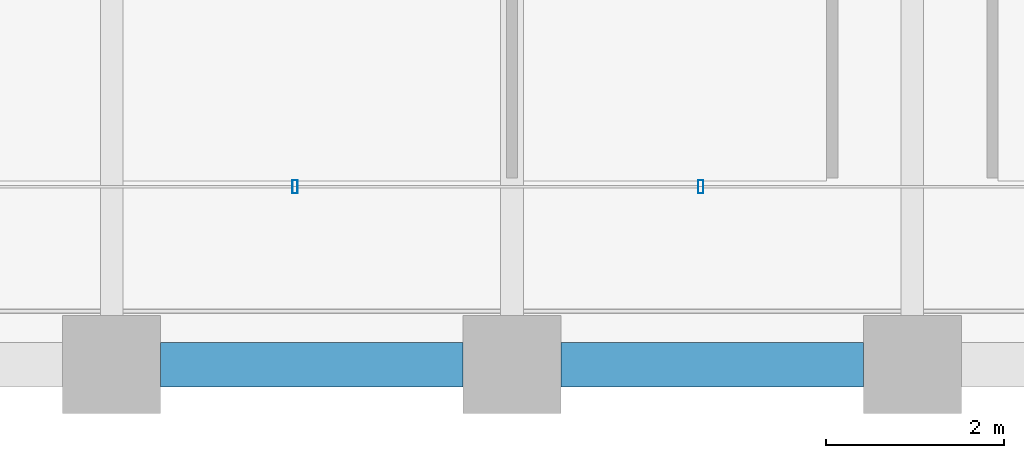
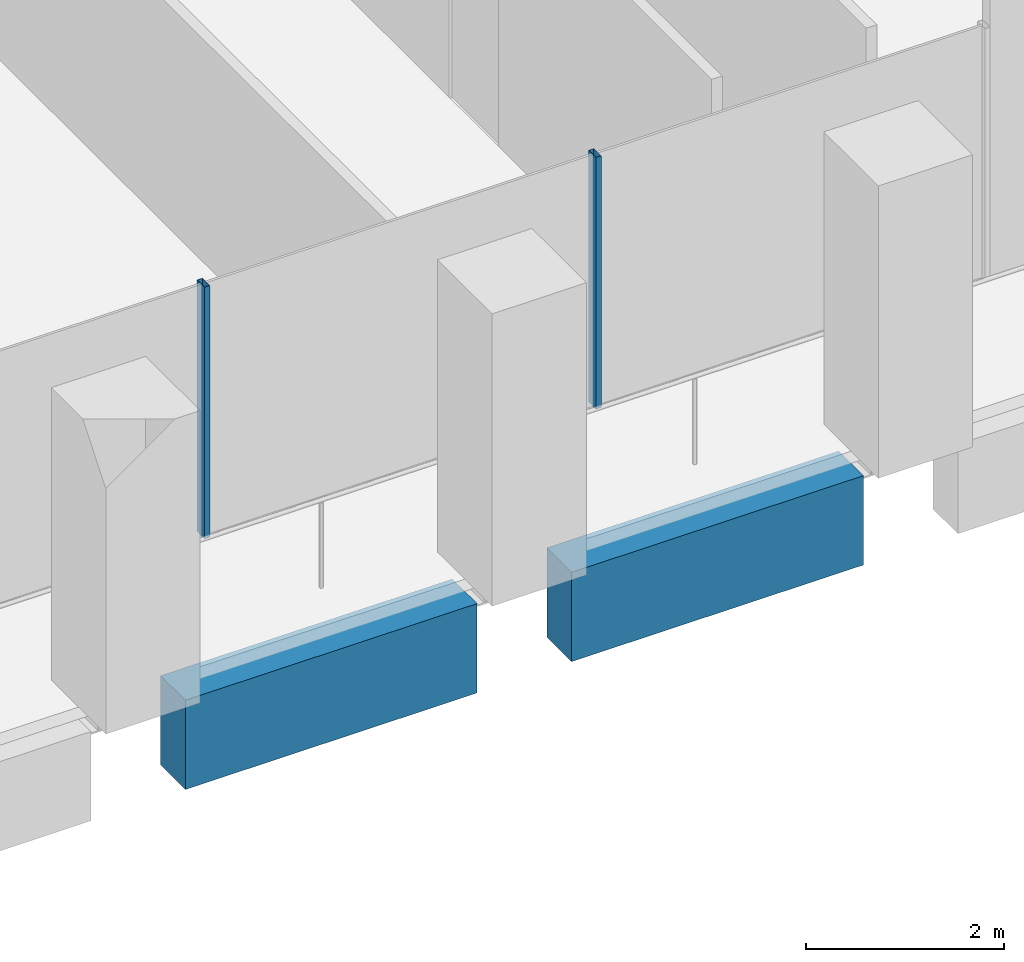
# One storey, part 3 of 56: 2 beams, 2 members, 1 element without a shape of its own.
"""IFC4 building model written with IfcOpenShell, lengths in metres."""

from ifc_helpers import new_model, si_unit, direction, frame, origin, origin_2d, place, context, subcontext, project, spatial, rectangle, hollow_rectangle, extrude, material, material_profile, profile_set, type_object, element, aggregate, save


model = new_model("IFC4")

# Units and contexts
model_context = context("Model", 3, precision=1e-05, world=origin(), true_north=direction((0.0, 1.0)))
body_context = subcontext(model_context, "Body", "Model", "MODEL_VIEW")
ifc_project = project(units=[si_unit("LENGTHUNIT", "METRE"), si_unit("AREAUNIT", "SQUARE_METRE"), si_unit("VOLUMEUNIT", "CUBIC_METRE"), si_unit("PLANEANGLEUNIT", "RADIAN"), si_unit("MASSUNIT", "GRAM", prefix="KILO")], contexts=[model_context])

# Site, building, storey
site_placement = place(None, origin())
site = spatial("IfcSite", under=ifc_project, at=site_placement, CompositionType="ELEMENT")
building_placement = place(site_placement, origin())
building = spatial("IfcBuilding", under=site, at=building_placement, Name="Altepetl Exchange Towers", CompositionType="ELEMENT")
storey_placement = place(building_placement, frame((0.0, 0.0, 72.60009765625)))
storey = spatial("IfcBuildingStorey", under=building, at=storey_placement, Name="L17", CompositionType="ELEMENT", Elevation=72.60009765625)

# Curtain wall, members
ifc_material_1 = material(Name="Aluminium 6063-T6 glazing", Category="aluminium")
curtain_wall_type = type_object("IfcCurtainWallType", Name="Loggia glazing system", PredefinedType="NOTDEFINED", material=ifc_material_1)
curtain_wall_placement = place(storey_placement, origin())
curtain_wall = element("IfcCurtainWall", 1, at=curtain_wall_placement, inside=storey, type_object=curtain_wall_type, Name="CW1 run", PredefinedType="NOTDEFINED")
ifc_material_2 = material(Name="Aluminium 6063-T6", Category="aluminium")
ifc_material_profile_1 = material_profile(ifc_material_2, hollow_rectangle(XDim=0.06005859375, YDim=0.14990234375, WallThickness=0.0029296875, at=origin_2d()), Name="Mullion 60x150 aluminium")
ifc_profile_set_1 = profile_set([ifc_material_profile_1], Name="Aluminium 6063-T6")
member_type = type_object("IfcMemberType", Name="Mullion 60x150 aluminium", PredefinedType="MULLION", material=ifc_profile_set_1)
member_1_placement = place(storey_placement, frame((38.060791015625, 29.0, 0.0)))
member_1 = element("IfcMember", 2, at=member_1_placement, type_object=member_type, Name="MU1 mullion", PredefinedType="MULLION", context=body_context, shape_type="SweptSolid", body=[
    extrude(hollow_rectangle(XDim=0.06005859375, YDim=0.14990234375, WallThickness=0.0029296875, at=origin_2d()), origin(), (0.0, 0.0, 1.0), 3.099853515625),
])
member_2_placement = place(storey_placement, frame((42.621337890625, 29.0, 0.0)))
member_2 = element("IfcMember", 3, at=member_2_placement, type_object=member_type, Name="MU1 mullion", PredefinedType="MULLION", context=body_context, shape_type="SweptSolid", body=[
    extrude(hollow_rectangle(XDim=0.06005859375, YDim=0.14990234375, WallThickness=0.0029296875, at=origin_2d()), origin(), (0.0, 0.0, 1.0), 3.099853515625),
])
aggregate(curtain_wall, [member_1, member_2])

# Beams
ifc_material_3 = material(Name="Concrete C50/60 precast with cantera blanca facing", Category="concrete")
ifc_material_profile_2 = material_profile(ifc_material_3, rectangle(XDim=0.5, YDim=1.10009765625, at=origin_2d()), Name="500 x 1100")
ifc_profile_set_2 = profile_set([ifc_material_profile_2], Name="Concrete C50/60 precast with cantera blanca facing")
beam_type = type_object("IfcBeamType", Name="Spandrel beam 500x1100 cantera blanca", PredefinedType="SPANDREL", material=ifc_profile_set_2)
for number, where, z_axis, x_axis, name in (
    (4, (36.550048828125, 27.0, -0.7001953125), (1.0, 0.0, 0.0), (0.0, 1.0, 0.0), "sp:A:L17:001"),
    (5, (41.050048828125, 27.0, -0.7001953125), (1.0, 0.0, 0.0), (0.0, 1.0, 0.0), "sp:A:L17:002"),
):
    element("IfcBeam", number, at=place(storey_placement, frame(where, z_axis=z_axis, x_axis=x_axis)), inside=storey, type_object=beam_type, Name=name, PredefinedType="SPANDREL", context=body_context, shape_type="SweptSolid", body=[
        extrude(rectangle(XDim=0.5, YDim=1.10009765625, at=origin_2d()), origin(), (0.0, 0.0, 1.0), 3.39990234375),
    ])

save(model, "model.ifc")
